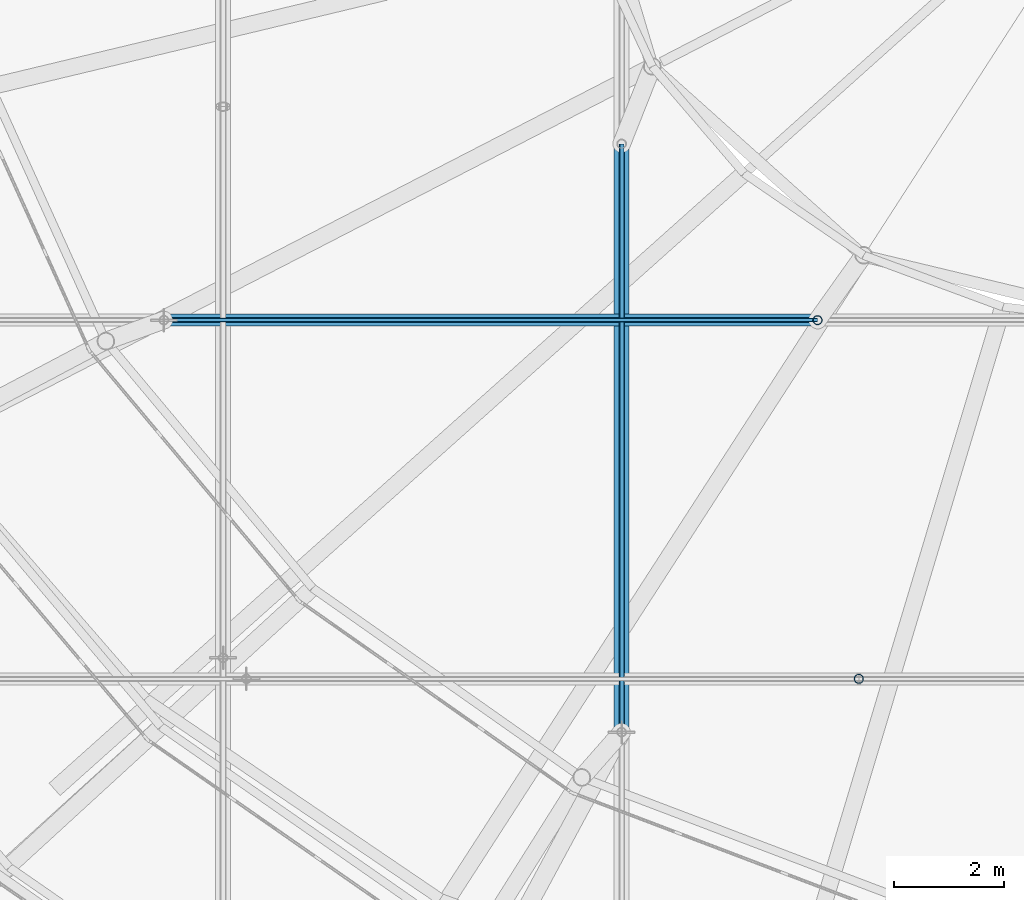
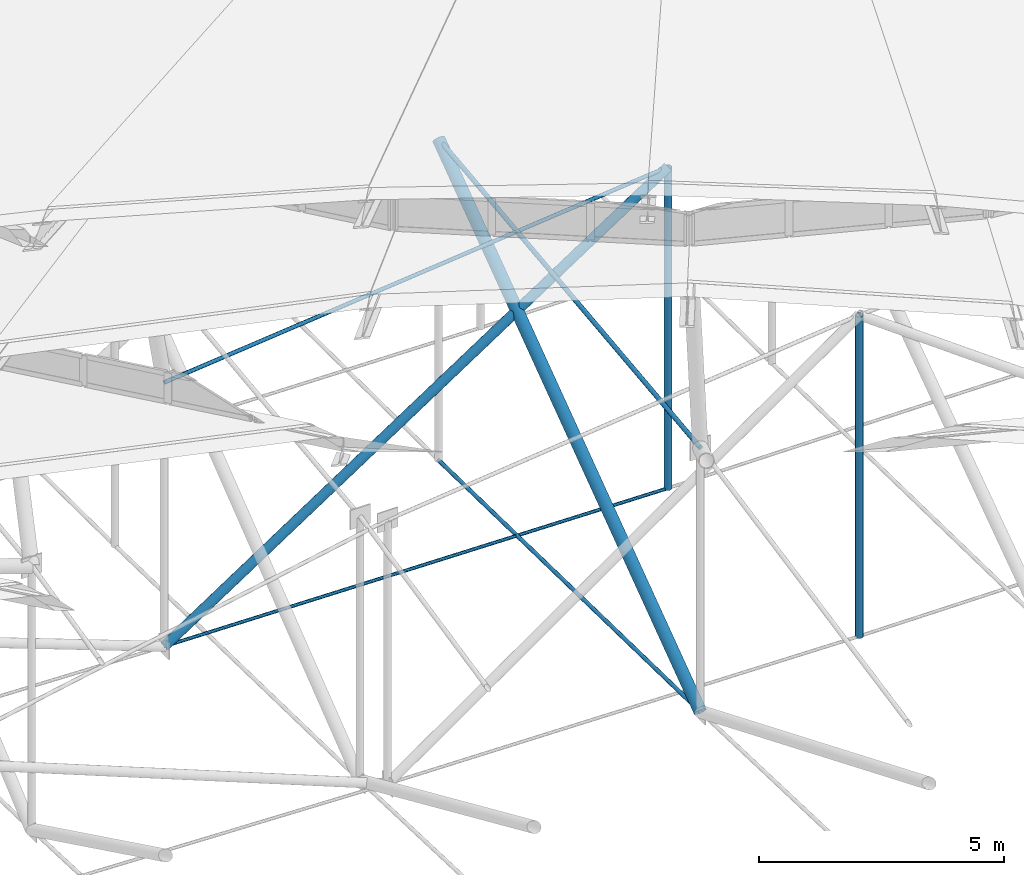
# One storey, part 22 of 173: 8 members.
"""IFC4 building model written with IfcOpenShell, lengths in metres."""

from ifc_helpers import new_model, si_unit, direction, frame, origin, origin_2d, place, context, subcontext, project, spatial, circle, hollow_circle, extrude, material, material_profile, profile_set, type_object, element, save


model = new_model("IFC4")

# Units and contexts
model_context = context("Model", 3, precision=1e-05, world=origin(), true_north=direction((0.0, 1.0)))
body_context = subcontext(model_context, "Body", "Model", "MODEL_VIEW")
ifc_project = project(units=[si_unit("LENGTHUNIT", "METRE"), si_unit("AREAUNIT", "SQUARE_METRE"), si_unit("VOLUMEUNIT", "CUBIC_METRE"), si_unit("PLANEANGLEUNIT", "RADIAN"), si_unit("MASSUNIT", "GRAM", prefix="KILO")], contexts=[model_context])

# Site, building, storey
site_placement = place(None, origin())
site = spatial("IfcSite", under=ifc_project, at=site_placement, CompositionType="ELEMENT")
building_placement = place(site_placement, origin())
building = spatial("IfcBuilding", under=site, at=building_placement, Name="Glasvene Arena", CompositionType="ELEMENT")
storey_placement = place(building_placement, frame((0.0, 0.0, 28.800048828125)))
storey = spatial("IfcBuildingStorey", under=building, at=storey_placement, Name="RF", CompositionType="ELEMENT", Elevation=28.800048828125)

# Members
ifc_material_1 = material(Name="High-strength steel spiral strand S460", Category="steel")
ifc_material_profile_1 = material_profile(ifc_material_1, circle(Radius=0.052490234375, at=origin_2d()), Name="LCSS D105")
ifc_profile_set_1 = profile_set([ifc_material_profile_1], Name="High-strength steel spiral strand S460")
member_type_1 = type_object("IfcMemberType", Name="MB-CABLE-105", PredefinedType="USERDEFINED", material=ifc_profile_set_1)
member_1_placement = place(storey_placement, frame((76.54931640625, 51.601318359375, 4.472900390625), z_axis=(0.0, 0.993587437632, 0.113066368918), x_axis=(-1.0, 0.0, 0.0)))
element("IfcMember", 1, at=member_1_placement, inside=storey, type_object=member_type_1, Name="Upper lens roof cable NS07-03", ObjectType="ROOF CABLE", PredefinedType="USERDEFINED", context=body_context, shape_type="SweptSolid", body=[
    extrude(circle(Radius=0.052490234375, at=origin_2d()), origin(), (0.0, 0.0, 1.0), 10.768310546875),
])
ifc_material_profile_2 = material_profile(ifc_material_1, circle(Radius=0.03759765625, at=origin_2d()), Name="LCSS D75")
ifc_profile_set_2 = profile_set([ifc_material_profile_2], Name="High-strength steel spiral strand S460")
member_type_2 = type_object("IfcMemberType", Name="MB-CABLE-75", PredefinedType="USERDEFINED", material=ifc_profile_set_2)
member_2_placement = place(storey_placement, frame((68.2236328125, 59.09423828125, -2.112548828125), z_axis=(0.999835625889, 0.0, -0.01813067026), x_axis=(0.0, 1.0, 0.0)))
element("IfcMember", 2, at=member_2_placement, inside=storey, type_object=member_type_2, Name="Lower stabilization roof cable EW02-03", ObjectType="ROOF CABLE", PredefinedType="USERDEFINED", context=body_context, shape_type="SweptSolid", body=[
    extrude(circle(Radius=0.03759765625, at=origin_2d()), origin(), (0.0, 0.0, 1.0), 11.89013671875),
])
ifc_material_profile_3 = material_profile(ifc_material_1, circle(Radius=0.044921875, at=origin_2d()), Name="LCSS D90")
ifc_profile_set_3 = profile_set([ifc_material_profile_3], Name="High-strength steel spiral strand S460")
member_type_3 = type_object("IfcMemberType", Name="MB-CABLE-90", PredefinedType="USERDEFINED", material=ifc_profile_set_3)
member_3_placement = place(storey_placement, frame((76.54931640625, 51.601318359375, -2.112548828125), z_axis=(0.0, 0.999797075179, -0.020144688239), x_axis=(-1.0, 0.0, 0.0)))
element("IfcMember", 3, at=member_3_placement, inside=storey, type_object=member_type_3, Name="Lower stabilization roof cable NS07-03", ObjectType="ROOF CABLE", PredefinedType="USERDEFINED", context=body_context, shape_type="SweptSolid", body=[
    extrude(circle(Radius=0.044921875, at=origin_2d()), origin(), (0.0, 0.0, 1.0), 10.701416015625),
])
member_4_placement = place(storey_placement, frame((68.2236328125, 59.09423828125, 4.472900390625), z_axis=(0.99479647415, 0.0, 0.101882162414), x_axis=(0.0, 1.0, 0.0)))
element("IfcMember", 4, at=member_4_placement, inside=storey, type_object=member_type_3, Name="Upper lens roof cable EW02-03", ObjectType="ROOF CABLE", PredefinedType="USERDEFINED", context=body_context, shape_type="SweptSolid", body=[
    extrude(circle(Radius=0.044921875, at=origin_2d()), origin(), (0.0, 0.0, 1.0), 11.950439453125),
])
ifc_material_2 = material(Name="Steel S355J2", Category="steel")
ifc_material_profile_4 = material_profile(ifc_material_2, hollow_circle(Radius=0.084228515625, WallThickness=0.008056640625, at=origin_2d()), Name="CHS 168.3x8.0")
ifc_profile_set_4 = profile_set([ifc_material_profile_4], Name="Steel S355J2")
member_type_4 = type_object("IfcMemberType", Name="MB-WEB-CHS168", PredefinedType="BRACE", material=ifc_profile_set_4)
for number, where, z_axis, x_axis, name in (
    (5, (80.8623046875, 52.5703125, -2.328125), (0.0, 0.0, 1.0), (1.0, 0.0, 0.0), "Cable-truss vertical strut EW01-03"),
    (6, (80.11181640625, 59.09423828125, -2.328125), (0.0, 0.0, 1.0), (1.0, 0.0, 0.0), "Cable-truss vertical strut EW02-03"),
):
    element("IfcMember", number, at=place(storey_placement, frame(where, z_axis=z_axis, x_axis=x_axis)), inside=storey, type_object=member_type_4, Name=name, PredefinedType="BRACE", context=body_context, shape_type="SweptSolid", body=[
        extrude(hollow_circle(Radius=0.084228515625, WallThickness=0.008056640625, at=origin_2d()), origin(), (0.0, 0.0, 1.0), 8.0185546875),
    ])
ifc_material_profile_5 = material_profile(ifc_material_2, hollow_circle(Radius=0.109619140625, WallThickness=0.010009765625, at=origin_2d()), Name="CHS 219.1x10.0")
ifc_profile_set_5 = profile_set([ifc_material_profile_5], Name="Steel S355J2")
member_type_5 = type_object("IfcMemberType", Name="MB-WEB-CHS219", PredefinedType="BRACE", material=ifc_profile_set_5)
member_5_placement = place(storey_placement, frame((68.2236328125, 59.09423828125, -2.112548828125), z_axis=(0.836004102068, 0.0, 0.548723191896), x_axis=(0.0, 1.0, 0.0)))
element("IfcMember", 7, at=member_5_placement, inside=storey, type_object=member_type_5, Name="Cable-truss diagonal web strut EW02-03", PredefinedType="BRACE", context=body_context, shape_type="SweptSolid", body=[
    extrude(hollow_circle(Radius=0.109619140625, WallThickness=0.010009765625, at=origin_2d()), origin(), (0.0, 0.0, 1.0), 14.22021484375),
])
ifc_material_profile_6 = material_profile(ifc_material_2, hollow_circle(Radius=0.136474609375, WallThickness=0.012451171875, at=origin_2d()), Name="CHS 273.0x12.5")
ifc_profile_set_6 = profile_set([ifc_material_profile_6], Name="Steel S355J2")
member_type_6 = type_object("IfcMemberType", Name="MB-WEB-CHS273", PredefinedType="BRACE", material=ifc_profile_set_6)
member_6_placement = place(storey_placement, frame((76.54931640625, 51.601318359375, -2.112548828125), z_axis=(0.0, 0.807954866612, 0.589244375041), x_axis=(-1.0, 0.0, 0.0)))
element("IfcMember", 8, at=member_6_placement, inside=storey, type_object=member_type_6, Name="Cable-truss diagonal web strut NS07-03", PredefinedType="BRACE", context=body_context, shape_type="SweptSolid", body=[
    extrude(hollow_circle(Radius=0.136474609375, WallThickness=0.012451171875, at=origin_2d()), origin(), (0.0, 0.0, 1.0), 13.242431640625),
])

save(model, "model.ifc")
